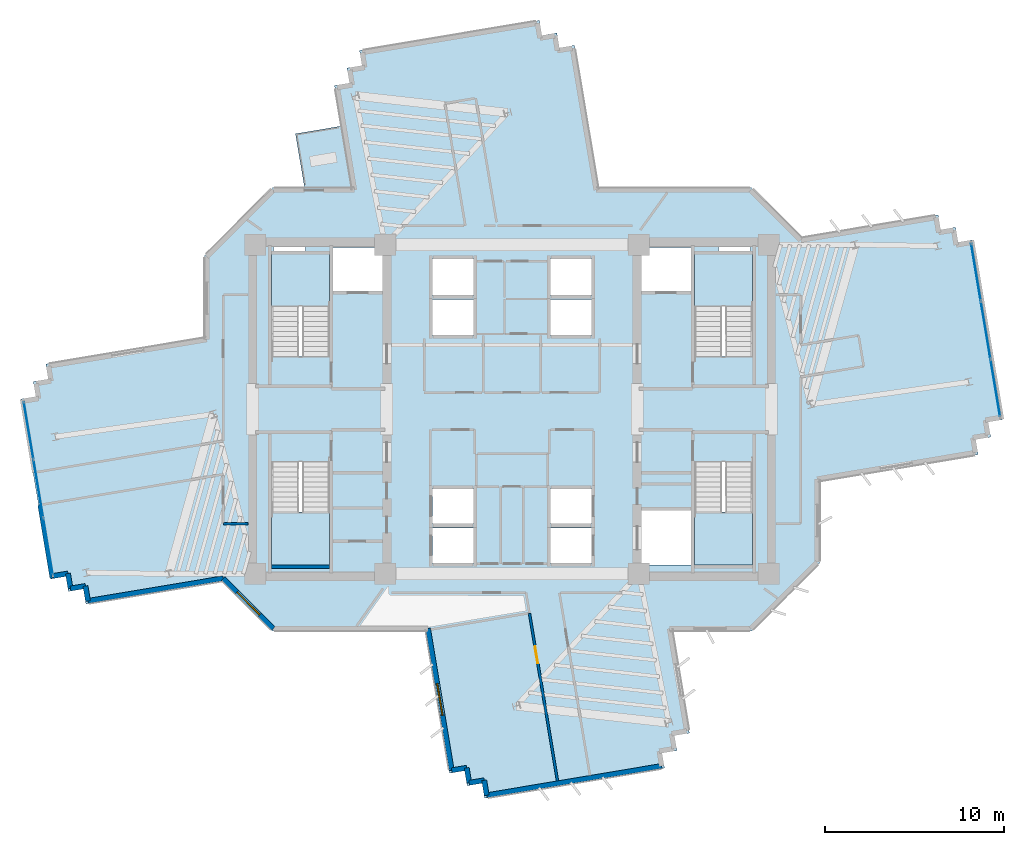
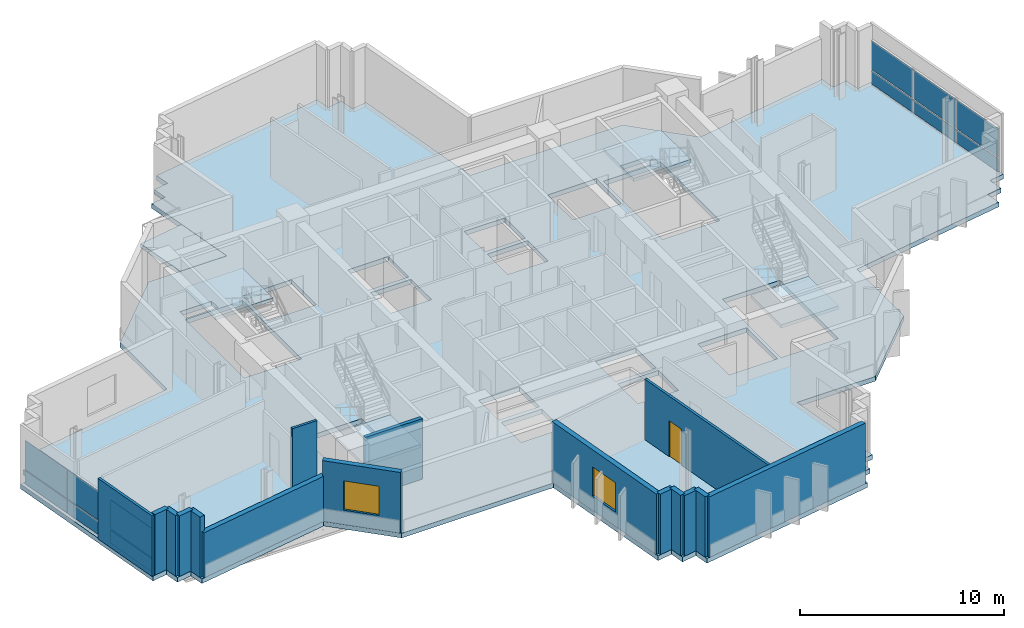
# One storey, part 6 of 15: 16 walls, 12 plates, 6 slabs, 2 windows, 1 door, 3 openings, 6 elements without a shape of their own.
"""IFC4 building model written with IfcOpenShell, lengths in metres."""

from ifc_helpers import new_model, si_unit, direction, frame, frame_2d, origin, origin_2d, place, context, subcontext, project, spatial, polyline, rectangle, outline, extrude, source, transform, mapped, material, layer, layer_set, type_object, element, fill, aggregate, save


model = new_model("IFC4")

# Units and contexts
model_context = context("Model", 3, precision=1e-05, world=origin(), true_north=direction((0.0, 1.0)))
body_context = subcontext(model_context, "Body", "Model", "MODEL_VIEW")
ifc_project = project(units=[si_unit("LENGTHUNIT", "METRE"), si_unit("AREAUNIT", "SQUARE_METRE"), si_unit("VOLUMEUNIT", "CUBIC_METRE"), si_unit("PLANEANGLEUNIT", "RADIAN"), si_unit("MASSUNIT", "GRAM", prefix="KILO")], contexts=[model_context])

# Site, building, storey
site_placement = place(None, origin())
site = spatial("IfcSite", under=ifc_project, at=site_placement, CompositionType="ELEMENT")
building_placement = place(site_placement, origin())
building = spatial("IfcBuilding", under=site, at=building_placement, Name="Zahravan Cultural Tower", CompositionType="ELEMENT")
storey_placement = place(building_placement, frame((0.0, 0.0, 139.5)))
storey = spatial("IfcBuildingStorey", under=building, at=storey_placement, Name="L31", CompositionType="ELEMENT", Elevation=139.5)

# Slab
ifc_material_1 = material(Name="Concrete C45/55", Category="concrete")
ifc_layer_1 = layer(ifc_material_1, 0.280029296875)
ifc_layer_set_1 = layer_set([ifc_layer_1], Name="Concrete C45/55")
slab_type_1 = type_object("IfcSlabType", Name="SL-LIB-280", PredefinedType="FLOOR", material=ifc_layer_set_1)
slab_1_placement = place(storey_placement, frame((0.0, 0.0, -0.280029296875)))
element("IfcSlab", 1, at=slab_1_placement, inside=storey, type_object=slab_type_1, Name="L31 Structural Floor Slab", PredefinedType="FLOOR", context=body_context, shape_type="SweptSolid", body=[
    extrude(outline(polyline([(52.1953125, 36.604736328125), (49.39990234375, 39.39990234375), (40.819580078125, 39.39990234375), (39.48828125, 47.35498046875), (38.64990234375, 47.214599609375), (38.509765625, 48.052978515625), (37.67138671875, 47.91259765625), (37.531005859375, 48.7509765625), (27.470947265625, 47.0673828125), (27.611083984375, 46.229248046875), (26.77294921875, 46.0888671875), (26.9130859375, 45.25048828125), (26.07470703125, 45.110107421875), (27.030517578125, 39.39990234375), (22.60009765625, 39.39990234375), (18.800048828125, 35.60009765625), (18.800048828125, 31.01611328125), (9.9248046875, 29.531005859375), (10.06494140625, 28.692626953125), (9.2265625, 28.552490234375), (9.366943359375, 27.714111328125), (8.528564453125, 27.57373046875), (10.2119140625, 17.513671875), (11.05029296875, 17.65380859375), (11.190673828125, 16.815673828125), (12.029052734375, 16.955810546875), (12.169189453125, 16.11767578125), (19.8046875, 17.395263671875), (22.60009765625, 14.60009765625), (31.180419921875, 14.60009765625), (32.51171875, 6.64501953125), (33.35009765625, 6.785400390625), (33.490234375, 5.947021484375), (34.32861328125, 6.08740234375), (34.468994140625, 5.2490234375), (44.529052734375, 6.9326171875), (44.388916015625, 7.770751953125), (45.22705078125, 7.9111328125), (45.0869140625, 8.74951171875), (45.92529296875, 8.889892578125), (44.969482421875, 14.60009765625), (49.39990234375, 14.60009765625), (53.199951171875, 18.39990234375), (53.199951171875, 22.98388671875), (62.0751953125, 24.468994140625), (61.93505859375, 25.307373046875), (62.7734375, 25.447509765625), (62.633056640625, 26.285888671875), (63.471435546875, 26.42626953125), (61.7880859375, 36.486328125), (60.94970703125, 36.34619140625), (60.809326171875, 37.184326171875), (59.970947265625, 37.044189453125), (59.830810546875, 37.88232421875), (52.1953125, 36.604736328125)]), holes=[polyline([(22.550048828125, 29.949951171875), (22.550048828125, 35.699951171875), (25.800048828125, 35.699951171875), (25.800048828125, 29.949951171875), (22.550048828125, 29.949951171875)]), polyline([(22.550048828125, 18.300048828125), (22.550048828125, 24.050048828125), (25.800048828125, 24.050048828125), (25.800048828125, 18.300048828125), (22.550048828125, 18.300048828125)]), polyline([(46.199951171875, 29.949951171875), (46.199951171875, 35.699951171875), (49.449951171875, 35.699951171875), (49.449951171875, 29.949951171875), (46.199951171875, 29.949951171875)]), polyline([(46.199951171875, 18.300048828125), (46.199951171875, 24.050048828125), (49.449951171875, 24.050048828125), (49.449951171875, 18.300048828125), (46.199951171875, 18.300048828125)]), polyline([(26.0, 33.60009765625), (26.0, 36.050048828125), (28.75, 36.050048828125), (28.75, 33.60009765625), (26.0, 33.60009765625)]), polyline([(43.25, 33.60009765625), (43.25, 36.050048828125), (46.0, 36.050048828125), (46.0, 33.60009765625), (43.25, 33.60009765625)]), polyline([(43.25, 18.300048828125), (43.25, 21.35009765625), (46.0, 21.35009765625), (46.0, 18.300048828125), (43.25, 18.300048828125)]), polyline([(31.550048828125, 33.39990234375), (31.550048828125, 35.39990234375), (33.85009765625, 35.39990234375), (33.85009765625, 33.39990234375), (31.550048828125, 33.39990234375)]), polyline([(31.550048828125, 31.14990234375), (31.550048828125, 33.14990234375), (33.85009765625, 33.14990234375), (33.85009765625, 31.14990234375), (31.550048828125, 31.14990234375)]), polyline([(38.14990234375, 33.39990234375), (38.14990234375, 35.39990234375), (40.449951171875, 35.39990234375), (40.449951171875, 33.39990234375), (38.14990234375, 33.39990234375)]), polyline([(38.14990234375, 31.14990234375), (38.14990234375, 33.14990234375), (40.449951171875, 33.14990234375), (40.449951171875, 31.14990234375), (38.14990234375, 31.14990234375)]), polyline([(31.550048828125, 20.60009765625), (31.550048828125, 22.550048828125), (33.85009765625, 22.550048828125), (33.85009765625, 20.60009765625), (31.550048828125, 20.60009765625)]), polyline([(31.550048828125, 18.39990234375), (31.550048828125, 20.35009765625), (33.85009765625, 20.35009765625), (33.85009765625, 18.39990234375), (31.550048828125, 18.39990234375)]), polyline([(38.14990234375, 20.60009765625), (38.14990234375, 22.550048828125), (40.449951171875, 22.550048828125), (40.449951171875, 20.60009765625), (38.14990234375, 20.60009765625)]), polyline([(38.14990234375, 18.39990234375), (38.14990234375, 20.35009765625), (40.449951171875, 20.35009765625), (40.449951171875, 18.39990234375), (38.14990234375, 18.39990234375)]), polyline([(22.64990234375, 35.800048828125), (22.64990234375, 36.419921875), (24.449951171875, 36.419921875), (24.449951171875, 35.800048828125), (22.64990234375, 35.800048828125)]), polyline([(47.550048828125, 35.800048828125), (47.550048828125, 36.419921875), (49.35009765625, 36.419921875), (49.35009765625, 35.800048828125), (47.550048828125, 35.800048828125)])]), origin(), (0.0, 0.0, 1.0), 0.280029296875),
])

# Stair, slab
stair_type = type_object("IfcStairType", Name="STR-DL-1550-390", PredefinedType="HALF_TURN_STAIR", material=ifc_material_1)
stair_1_placement = place(storey_placement, origin())
stair_1 = element("IfcStair", 2, at=stair_1_placement, inside=storey, type_object=stair_type, Name="L31 West Core North Exit Stair ST-W1", PredefinedType="HALF_TURN_STAIR")
ifc_layer_2 = layer(ifc_material_1, 0.199951171875)
ifc_layer_set_2 = layer_set([ifc_layer_2], Name="Concrete C45/55")
slab_type_2 = type_object("IfcSlabType", Name="SL-STAIR-LND200", PredefinedType="LANDING", material=ifc_layer_set_2)
slab_2_placement = place(storey_placement, frame((0.0, 0.0, 1.75)))
slab_2 = element("IfcSlab", 3, at=slab_2_placement, type_object=slab_type_2, Name="ST-W1 landing 1", PredefinedType="LANDING", context=body_context, shape_type="SweptSolid", body=[
    extrude(outline(polyline([(25.800048828125, 32.75), (25.800048828125, 35.699951171875), (22.550048828125, 35.699951171875), (22.550048828125, 32.75), (25.800048828125, 32.75)])), origin(), (0.0, 0.0, 1.0), 0.199951171875),
])
aggregate(stair_1, [slab_2])

stair_2_placement = place(storey_placement, origin())
stair_2 = element("IfcStair", 4, at=stair_2_placement, inside=storey, type_object=stair_type, Name="L31 West Core South Exit Stair ST-W2", PredefinedType="HALF_TURN_STAIR")
slab_3_placement = place(storey_placement, frame((0.0, 0.0, 1.75)))
slab_3 = element("IfcSlab", 5, at=slab_3_placement, type_object=slab_type_2, Name="ST-W2 landing 1", PredefinedType="LANDING", context=body_context, shape_type="SweptSolid", body=[
    extrude(outline(polyline([(22.550048828125, 21.25), (22.550048828125, 18.300048828125), (25.800048828125, 18.300048828125), (25.800048828125, 21.25), (22.550048828125, 21.25)])), origin(), (0.0, 0.0, 1.0), 0.199951171875),
])
aggregate(stair_2, [slab_3])

stair_3_placement = place(storey_placement, origin())
stair_3 = element("IfcStair", 6, at=stair_3_placement, inside=storey, type_object=stair_type, Name="L31 East Core North Exit Stair ST-E1", PredefinedType="HALF_TURN_STAIR")
slab_4_placement = place(storey_placement, frame((0.0, 0.0, 1.75)))
slab_4 = element("IfcSlab", 7, at=slab_4_placement, type_object=slab_type_2, Name="ST-E1 landing 1", PredefinedType="LANDING", context=body_context, shape_type="SweptSolid", body=[
    extrude(outline(polyline([(49.449951171875, 32.75), (49.449951171875, 35.699951171875), (46.199951171875, 35.699951171875), (46.199951171875, 32.75), (49.449951171875, 32.75)])), origin(), (0.0, 0.0, 1.0), 0.199951171875),
])
aggregate(stair_3, [slab_4])

stair_4_placement = place(storey_placement, origin())
stair_4 = element("IfcStair", 8, at=stair_4_placement, inside=storey, type_object=stair_type, Name="L31 East Core South Exit Stair ST-E2", PredefinedType="HALF_TURN_STAIR")
slab_5_placement = place(storey_placement, frame((0.0, 0.0, 1.75)))
slab_5 = element("IfcSlab", 9, at=slab_5_placement, type_object=slab_type_2, Name="ST-E2 landing 1", PredefinedType="LANDING", context=body_context, shape_type="SweptSolid", body=[
    extrude(outline(polyline([(46.199951171875, 21.25), (46.199951171875, 18.300048828125), (49.449951171875, 18.300048828125), (49.449951171875, 21.25), (46.199951171875, 21.25)])), origin(), (0.0, 0.0, 1.0), 0.199951171875),
])
aggregate(stair_4, [slab_5])

# Slab
ifc_material_2 = material(Name="Concrete C40/50", Category="concrete")
ifc_layer_3 = layer(ifc_material_2, 0.239990234375)
ifc_layer_set_3 = layer_set([ifc_layer_3], Name="Concrete C40/50")
slab_type_3 = type_object("IfcSlabType", Name="SL-TERR-240", PredefinedType="FLOOR", material=ifc_layer_set_3)
slab_6_placement = place(storey_placement, frame((0.0, 0.0, -0.239990234375)))
element("IfcSlab", 10, at=slab_6_placement, inside=storey, type_object=slab_type_3, Name="L31 Planted Sculpture Terrace NW", PredefinedType="FLOOR", context=body_context, shape_type="SweptSolid", body=[
    extrude(outline(polyline([(23.89013671875, 42.41259765625), (24.393310546875, 39.405029296875), (27.0244140625, 39.405029296875), (26.449462890625, 42.841064453125), (23.89013671875, 42.41259765625)])), origin(), (0.0, 0.0, 1.0), 0.239990234375),
])

# Curtain wall, plates
ifc_material_3 = material(Name="Anodised bronze-aluminium mullion", Category="aluminium")
ifc_layer_4 = layer(ifc_material_3, 0.199951171875)
ifc_layer_set_4 = layer_set([ifc_layer_4], Name="Anodised bronze-aluminium mullion")
curtain_wall_type_1 = type_object("IfcCurtainWallType", Name="CW-SYS-2", PredefinedType="USERDEFINED", material=ifc_layer_set_4)
curtain_wall_1_placement = place(storey_placement, origin())
curtain_wall_1 = element("IfcCurtainWall", 11, at=curtain_wall_1_placement, inside=storey, type_object=curtain_wall_type_1, Name="L31 Recessed Curtain Wall CW-2.1", ObjectType="RECESSED GLAZING", PredefinedType="USERDEFINED")
ifc_material_4 = material(Name="Low-E solar-control double glazing", Category="glass")
ifc_layer_5 = layer(ifc_material_4, 0.030029296875)
ifc_layer_set_5 = layer_set([ifc_layer_5], Name="Low-E solar-control double glazing")
plate_type_1 = type_object("IfcPlateType", Name="CWP-CW-2", PredefinedType="CURTAIN_PANEL", material=ifc_layer_set_5)
shared_shape_1 = source(origin(), body_context, "Body", "SweptSolid", [
    extrude(rectangle(XDim=3.194091796875, YDim=0.030029296875, at=origin_2d()), origin(), (0.0, 0.0, 1.0), 0.78759765625),
])
plate_1_placement = place(storey_placement, frame((61.948974609375, 34.676025390625, 0.074951171875), z_axis=(0.0, 0.0, 1.0), x_axis=(0.165051199491, -0.986285000163, 0.0)))
plate_1 = element("IfcPlate", 12, at=plate_1_placement, type_object=plate_type_1, Name="CW-2 panel 1.1", PredefinedType="CURTAIN_PANEL", context=body_context, shape_type="MappedRepresentation", body=[
    mapped(shared_shape_1, transform((0.0, 0.0, 0.0), x_axis=(1.0, 0.0, 0.0), y_axis=(0.0, 1.0, 0.0), z_axis=(0.0, 0.0, 1.0), scale=1.0)),
])
plate_2_placement = place(storey_placement, frame((63.034423828125, 28.1904296875, 0.074951171875), z_axis=(0.0, 0.0, 1.0), x_axis=(0.165051199491, -0.986285000163, 0.0)))
plate_2 = element("IfcPlate", 13, at=plate_2_placement, type_object=plate_type_1, Name="CW-2 panel 3.1", PredefinedType="CURTAIN_PANEL", context=body_context, shape_type="MappedRepresentation", body=[
    mapped(shared_shape_1, transform((0.0, 0.0, 0.0), x_axis=(1.0, 0.0, 0.0), y_axis=(0.0, 1.0, 0.0), z_axis=(0.0, 0.0, 1.0), scale=1.0)),
])
shared_shape_2 = source(origin(), body_context, "Body", "SweptSolid", [
    extrude(rectangle(XDim=3.231689453125, YDim=0.030029296875, at=origin_2d()), origin(), (0.0, 0.0, 1.0), 0.78759765625),
])
plate_3_placement = place(storey_placement, frame((62.49169921875, 31.43310546875, 0.074951171875), z_axis=(0.0, 0.0, 1.0), x_axis=(0.165051199491, -0.986285000163, 0.0)))
plate_3 = element("IfcPlate", 14, at=plate_3_placement, type_object=plate_type_1, Name="CW-2 panel 2.1", PredefinedType="CURTAIN_PANEL", context=body_context, shape_type="MappedRepresentation", body=[
    mapped(shared_shape_2, transform((0.0, 0.0, 0.0), x_axis=(1.0, 0.0, 0.0), y_axis=(0.0, 1.0, 0.0), z_axis=(0.0, 0.0, 1.0), scale=1.0)),
])
shared_shape_3 = source(origin(), body_context, "Body", "SweptSolid", [
    extrude(rectangle(XDim=3.194091796875, YDim=0.030029296875, at=origin_2d()), origin(), (0.0, 0.0, 1.0), 1.7275390625),
])
plate_4_placement = place(storey_placement, frame((61.948974609375, 34.676025390625, 0.9375), z_axis=(0.0, 0.0, 1.0), x_axis=(0.165051199491, -0.986285000163, 0.0)))
plate_4 = element("IfcPlate", 15, at=plate_4_placement, type_object=plate_type_1, Name="CW-2 panel 1.2", PredefinedType="CURTAIN_PANEL", context=body_context, shape_type="MappedRepresentation", body=[
    mapped(shared_shape_3, transform((0.0, 0.0, 0.0), x_axis=(1.0, 0.0, 0.0), y_axis=(0.0, 1.0, 0.0), z_axis=(0.0, 0.0, 1.0), scale=1.0)),
])
plate_5_placement = place(storey_placement, frame((63.034423828125, 28.1904296875, 0.9375), z_axis=(0.0, 0.0, 1.0), x_axis=(0.165051199491, -0.986285000163, 0.0)))
plate_5 = element("IfcPlate", 16, at=plate_5_placement, type_object=plate_type_1, Name="CW-2 panel 3.2", PredefinedType="CURTAIN_PANEL", context=body_context, shape_type="MappedRepresentation", body=[
    mapped(shared_shape_3, transform((0.0, 0.0, 0.0), x_axis=(1.0, 0.0, 0.0), y_axis=(0.0, 1.0, 0.0), z_axis=(0.0, 0.0, 1.0), scale=1.0)),
])
shared_shape_4 = source(origin(), body_context, "Body", "SweptSolid", [
    extrude(rectangle(XDim=3.231689453125, YDim=0.030029296875, at=origin_2d()), origin(), (0.0, 0.0, 1.0), 1.7275390625),
])
plate_6_placement = place(storey_placement, frame((62.49169921875, 31.43310546875, 0.9375), z_axis=(0.0, 0.0, 1.0), x_axis=(0.165051199491, -0.986285000163, 0.0)))
plate_6 = element("IfcPlate", 17, at=plate_6_placement, type_object=plate_type_1, Name="CW-2 panel 2.2", PredefinedType="CURTAIN_PANEL", context=body_context, shape_type="MappedRepresentation", body=[
    mapped(shared_shape_4, transform((0.0, 0.0, 0.0), x_axis=(1.0, 0.0, 0.0), y_axis=(0.0, 1.0, 0.0), z_axis=(0.0, 0.0, 1.0), scale=1.0)),
])
aggregate(curtain_wall_1, [plate_1, plate_4, plate_3, plate_6, plate_2, plate_5])

ifc_layer_6 = layer(ifc_material_3, 0.179931640625)
ifc_layer_set_6 = layer_set([ifc_layer_6], Name="Anodised bronze-aluminium mullion")
curtain_wall_type_2 = type_object("IfcCurtainWallType", Name="CW-SYS-3", PredefinedType="USERDEFINED", material=ifc_layer_set_6)
curtain_wall_2_placement = place(storey_placement, origin())
curtain_wall_2 = element("IfcCurtainWall", 18, at=curtain_wall_2_placement, inside=storey, type_object=curtain_wall_type_2, Name="L31 Recessed Curtain Wall CW-3.2", ObjectType="RECESSED GLAZING", PredefinedType="USERDEFINED")
ifc_layer_7 = layer(ifc_material_4, 0.028076171875)
ifc_layer_set_7 = layer_set([ifc_layer_7], Name="Low-E solar-control double glazing")
plate_type_2 = type_object("IfcPlateType", Name="CWP-CW-3", PredefinedType="CURTAIN_PANEL", material=ifc_layer_set_7)
shared_shape_5 = source(origin(), body_context, "Body", "SweptSolid", [
    extrude(rectangle(XDim=3.20166015625, YDim=0.028076171875, at=origin_2d()), origin(), (0.0, 0.0, 1.0), 0.794921875),
])
plate_7_placement = place(storey_placement, frame((10.05126953125, 19.32275390625, 0.070068359375), z_axis=(0.0, 0.0, 1.0), x_axis=(-0.165051199491, 0.986285000163, 0.0)))
plate_7 = element("IfcPlate", 19, at=plate_7_placement, type_object=plate_type_2, Name="CW-3 panel 1.1", PredefinedType="CURTAIN_PANEL", context=body_context, shape_type="MappedRepresentation", body=[
    mapped(shared_shape_5, transform((0.0, 0.0, 0.0), x_axis=(1.0, 0.0, 0.0), y_axis=(0.0, 1.0, 0.0), z_axis=(0.0, 0.0, 1.0), scale=1.0)),
])
plate_8_placement = place(storey_placement, frame((8.965576171875, 25.810791015625, 0.070068359375), z_axis=(0.0, 0.0, 1.0), x_axis=(-0.165051199491, 0.986285000163, 0.0)))
plate_8 = element("IfcPlate", 20, at=plate_8_placement, type_object=plate_type_2, Name="CW-3 panel 3.1", PredefinedType="CURTAIN_PANEL", context=body_context, shape_type="MappedRepresentation", body=[
    mapped(shared_shape_5, transform((0.0, 0.0, 0.0), x_axis=(1.0, 0.0, 0.0), y_axis=(0.0, 1.0, 0.0), z_axis=(0.0, 0.0, 1.0), scale=1.0)),
])
shared_shape_6 = source(origin(), body_context, "Body", "SweptSolid", [
    extrude(rectangle(XDim=3.20166015625, YDim=0.028076171875, at=origin_2d()), origin(), (0.0, 0.0, 1.0), 1.735107421875),
])
plate_9_placement = place(storey_placement, frame((10.05126953125, 19.32275390625, 0.93505859375), z_axis=(0.0, 0.0, 1.0), x_axis=(-0.165051199491, 0.986285000163, 0.0)))
plate_9 = element("IfcPlate", 21, at=plate_9_placement, type_object=plate_type_2, Name="CW-3 panel 1.2", PredefinedType="CURTAIN_PANEL", context=body_context, shape_type="MappedRepresentation", body=[
    mapped(shared_shape_6, transform((0.0, 0.0, 0.0), x_axis=(1.0, 0.0, 0.0), y_axis=(0.0, 1.0, 0.0), z_axis=(0.0, 0.0, 1.0), scale=1.0)),
])
plate_10_placement = place(storey_placement, frame((8.965576171875, 25.810791015625, 0.93505859375), z_axis=(0.0, 0.0, 1.0), x_axis=(-0.165051199491, 0.986285000163, 0.0)))
plate_10 = element("IfcPlate", 22, at=plate_10_placement, type_object=plate_type_2, Name="CW-3 panel 3.2", PredefinedType="CURTAIN_PANEL", context=body_context, shape_type="MappedRepresentation", body=[
    mapped(shared_shape_6, transform((0.0, 0.0, 0.0), x_axis=(1.0, 0.0, 0.0), y_axis=(0.0, 1.0, 0.0), z_axis=(0.0, 0.0, 1.0), scale=1.0)),
])
shared_shape_7 = source(origin(), body_context, "Body", "SweptSolid", [
    extrude(rectangle(XDim=3.236572265625, YDim=0.028076171875, at=origin_2d()), origin(), (0.0, 0.0, 1.0), 0.794921875),
])
plate_11_placement = place(storey_placement, frame((9.50830078125, 22.56689453125, 0.070068359375), z_axis=(0.0, 0.0, 1.0), x_axis=(-0.165051199491, 0.986285000163, 0.0)))
plate_11 = element("IfcPlate", 23, at=plate_11_placement, type_object=plate_type_2, Name="CW-3 panel 2.1", PredefinedType="CURTAIN_PANEL", context=body_context, shape_type="MappedRepresentation", body=[
    mapped(shared_shape_7, transform((0.0, 0.0, 0.0), x_axis=(1.0, 0.0, 0.0), y_axis=(0.0, 1.0, 0.0), z_axis=(0.0, 0.0, 1.0), scale=1.0)),
])
shared_shape_8 = source(origin(), body_context, "Body", "SweptSolid", [
    extrude(rectangle(XDim=3.236572265625, YDim=0.028076171875, at=origin_2d()), origin(), (0.0, 0.0, 1.0), 1.735107421875),
])
plate_12_placement = place(storey_placement, frame((9.50830078125, 22.56689453125, 0.93505859375), z_axis=(0.0, 0.0, 1.0), x_axis=(-0.165051199491, 0.986285000163, 0.0)))
plate_12 = element("IfcPlate", 24, at=plate_12_placement, type_object=plate_type_2, Name="CW-3 panel 2.2", PredefinedType="CURTAIN_PANEL", context=body_context, shape_type="MappedRepresentation", body=[
    mapped(shared_shape_8, transform((0.0, 0.0, 0.0), x_axis=(1.0, 0.0, 0.0), y_axis=(0.0, 1.0, 0.0), z_axis=(0.0, 0.0, 1.0), scale=1.0)),
])
aggregate(curtain_wall_2, [plate_7, plate_9, plate_11, plate_12, plate_8, plate_10])

# Wall, opening, window
ifc_material_5 = material(Name="Precast concrete C40/50", Category="concrete")
ifc_layer_8 = layer(ifc_material_5, 0.280029296875)
ifc_layer_set_8 = layer_set([ifc_layer_8], Name="Precast concrete C40/50")
wall_type_1 = type_object("IfcWallType", Name="EW-TC-280", PredefinedType="SOLIDWALL", material=ifc_layer_set_8)
wall_1_placement = place(storey_placement, frame((32.626708984375, 6.806396484375, 0.0), z_axis=(0.0, 0.0, 1.0), x_axis=(-0.165048626668, 0.986285430712, 0.0)))
wall_1 = element("IfcWall", 25, at=wall_1_placement, inside=storey, type_object=wall_type_1, Name="L31 Exterior Masonry Frame Wall 24", PredefinedType="SOLIDWALL", context=body_context, shape_type="SweptSolid", body=[
    extrude(rectangle(XDim=8.0439453125, YDim=0.280029296875, at=frame_2d((4.02197265625, 0.0))), origin(), (0.0, 0.0, 1.0), 3.6201171875),
])
opening_1_placement = place(wall_1_placement, frame((3.1220703125, 0.0, 0.85009765625)))
opening_1 = element("IfcOpeningElement", 26, at=opening_1_placement, cuts=wall_1, Name="Opening WN-02", PredefinedType="OPENING", context=body_context, shape_type="SweptSolid", body=[
    extrude(rectangle(XDim=1.800048828125, YDim=1.75, at=frame_2d((0.89990234375, 0.875))), frame((0.0, 0.14990234375, 0.0), z_axis=(0.0, -1.0, 0.0), x_axis=(1.0, 0.0, 0.0)), (0.0, 0.0, 1.0), 0.300048828125),
])
window_type = type_object("IfcWindowType", Name="WN-REC-1800X1750", PartitioningType="DOUBLE_PANEL_VERTICAL", PredefinedType="WINDOW", material=ifc_material_4)
shared_shape_9 = source(origin(), body_context, "Body", "SweptSolid", [
    extrude(rectangle(XDim=1.800048828125, YDim=1.75, at=frame_2d((0.89990234375, 0.875))), frame((0.0, 0.030029296875, 0.0), z_axis=(0.0, -1.0, 0.0), x_axis=(1.0, 0.0, 0.0)), (0.0, 0.0, 1.0), 0.06005859375),
])
window_1_placement = place(opening_1_placement, origin())
window_1 = element("IfcWindow", 27, at=window_1_placement, inside=storey, type_object=window_type, Name="L31 Recessed Solar Window 05", OverallHeight=1.75, OverallWidth=1.800048828125, PartitioningType="DOUBLE_PANEL_VERTICAL", PredefinedType="WINDOW", context=body_context, shape_type="MappedRepresentation", body=[
    mapped(shared_shape_9, transform((0.0, 0.0, 0.0), x_axis=(1.0, 0.0, 0.0), y_axis=(0.0, 1.0, 0.0), z_axis=(0.0, 0.0, 1.0), scale=1.0)),
])
fill(opening_1, window_1)

wall_2_placement = place(storey_placement, frame((22.657958984375, 14.739990234375, 0.0), z_axis=(0.0, 0.0, 1.0), x_axis=(-0.707076011326, 0.707137549708, 0.0)))
wall_2 = element("IfcWall", 28, at=wall_2_placement, inside=storey, type_object=wall_type_1, Name="L31 Exterior Masonry Frame Wall 26", PredefinedType="SOLIDWALL", context=body_context, shape_type="SweptSolid", body=[
    extrude(rectangle(XDim=3.96728515625, YDim=0.280029296875, at=frame_2d((1.983642578125, 0.0))), origin(), (0.0, 0.0, 1.0), 3.6201171875),
])
opening_2_placement = place(wall_2_placement, frame((1.083984375, 0.0, 0.85009765625)))
opening_2 = element("IfcOpeningElement", 29, at=opening_2_placement, cuts=wall_2, Name="Opening WN-02", PredefinedType="OPENING", context=body_context, shape_type="SweptSolid", body=[
    extrude(rectangle(XDim=1.800048828125, YDim=1.75, at=frame_2d((0.89990234375, 0.875))), frame((0.0, 0.14990234375, 0.0), z_axis=(0.0, -1.0, 0.0), x_axis=(1.0, 0.0, 0.0)), (0.0, 0.0, 1.0), 0.300048828125),
])
window_2_placement = place(opening_2_placement, origin())
window_2 = element("IfcWindow", 30, at=window_2_placement, inside=storey, type_object=window_type, Name="L31 Recessed Solar Window 06", OverallHeight=1.75, OverallWidth=1.800048828125, PartitioningType="DOUBLE_PANEL_VERTICAL", PredefinedType="WINDOW", context=body_context, shape_type="MappedRepresentation", body=[
    mapped(shared_shape_9, transform((0.0, 0.0, 0.0), x_axis=(1.0, 0.0, 0.0), y_axis=(0.0, 1.0, 0.0), z_axis=(0.0, 0.0, 1.0), scale=1.0)),
])
fill(opening_2, window_2)

# Wall, opening, door
ifc_material_6 = material(Name="Gypsum plasterboard partition")
ifc_layer_9 = layer(ifc_material_6, 0.139892578125)
ifc_layer_set_9 = layer_set([ifc_layer_9], Name="Gypsum plasterboard partition")
wall_type_2 = type_object("IfcWallType", Name="W-PART-140", PredefinedType="PARTITIONING", material=ifc_layer_set_9)
wall_3_placement = place(storey_placement, frame((36.9775390625, 15.584716796875, 0.0), z_axis=(0.0, 0.0, 1.0), x_axis=(0.165024399413, -0.986289484684, 0.0)))
wall_3 = element("IfcWall", 31, at=wall_3_placement, inside=storey, type_object=wall_type_2, Name="L31 Interior Wall 092", PredefinedType="PARTITIONING", context=body_context, shape_type="SweptSolid", body=[
    extrude(rectangle(XDim=9.494873046875, YDim=0.139892578125, at=frame_2d((4.74755859375, 0.0))), origin(), (0.0, 0.0, 1.0), 3.6201171875),
])
opening_3_placement = place(wall_3_placement, frame((1.8798828125, 0.0, 0.0)))
opening_3 = element("IfcOpeningElement", 32, at=opening_3_placement, cuts=wall_3, Name="Opening D-L31-28", PredefinedType="OPENING", context=body_context, shape_type="SweptSolid", body=[
    extrude(rectangle(XDim=0.949951171875, YDim=2.14990234375, at=frame_2d((0.47509765625, 1.074951171875))), frame((0.0, 0.079833984375, 0.0), z_axis=(0.0, -1.0, 0.0), x_axis=(1.0, 0.0, 0.0)), (0.0, 0.0, 1.0), 0.159912109375),
])
door_type = type_object("IfcDoorType", Name="DR-ROOM-950", OperationType="NOTDEFINED", PredefinedType="DOOR", material=ifc_material_3)
shared_shape_10 = source(origin(), body_context, "Body", "SweptSolid", [
    extrude(rectangle(XDim=0.949951171875, YDim=2.14990234375, at=frame_2d((0.47509765625, 1.074951171875))), frame((0.0, 0.02490234375, 0.0), z_axis=(0.0, -1.0, 0.0), x_axis=(1.0, 0.0, 0.0)), (0.0, 0.0, 1.0), 0.050048828125),
])
door_placement = place(opening_3_placement, origin())
door = element("IfcDoor", 33, at=door_placement, inside=storey, type_object=door_type, Name="L31 Door D-L31-28", OperationType="SINGLE_SWING_RIGHT", OverallHeight=2.14990234375, OverallWidth=0.949951171875, PredefinedType="DOOR", context=body_context, shape_type="MappedRepresentation", body=[
    mapped(shared_shape_10, transform((0.0, 0.0, 0.0), x_axis=(1.0, 0.0, 0.0), y_axis=(0.0, 1.0, 0.0), z_axis=(0.0, 0.0, 1.0), scale=1.0)),
])
fill(opening_3, door)

# Walls
shared_shape_11 = source(origin(), body_context, "Body", "SweptSolid", [
    extrude(rectangle(XDim=7.673828125, YDim=0.280029296875, at=frame_2d((3.8369140625, 0.0))), origin(), (0.0, 0.0, 1.0), 2.693115234375),
])
wall_4_placement = place(storey_placement, frame((19.852783203125, 17.54541015625, 0.0), z_axis=(0.0, 0.0, 1.0), x_axis=(-0.986284504747, -0.165054159886, 0.0)))
element("IfcWall", 34, at=wall_4_placement, inside=storey, type_object=wall_type_1, Name="L31 Exterior Masonry Frame Wall 27", PredefinedType="SOLIDWALL", context=body_context, shape_type="MappedRepresentation", body=[
    mapped(shared_shape_11, transform((0.0, 0.0, 0.0), x_axis=(1.0, 0.0, 0.0), y_axis=(0.0, 1.0, 0.0), z_axis=(0.0, 0.0, 1.0), scale=1.0)),
])
shared_shape_12 = source(origin(), body_context, "Body", "SweptSolid", [
    extrude(rectangle(XDim=0.85009765625, YDim=0.280029296875, at=frame_2d((0.425048828125, 0.0))), origin(), (0.0, 0.0, 1.0), 3.6201171875),
])
for number, where, z_axis, x_axis, name in (
    (35, (34.583984375, 5.41015625, 0.0), (0.0, 0.0, 1.0), (-0.16514412658, 0.986269444653, 0.0), "L31 Exterior Masonry Frame Wall 20"),
    (36, (34.443603515625, 6.24853515625, 0.0), (0.0, 0.0, 1.0), (-0.986316186628, -0.164864732418, 0.0), "L31 Exterior Masonry Frame Wall 21"),
    (37, (33.465087890625, 6.946533203125, 0.0), (0.0, 0.0, 1.0), (-0.986316186628, -0.164864732418, 0.0), "L31 Exterior Masonry Frame Wall 23"),
    (38, (12.2841796875, 16.27880859375, 0.0), (0.0, 0.0, 1.0), (-0.164864732418, 0.986316186628, 0.0), "L31 Exterior Masonry Frame Wall 28"),
    (39, (12.14404296875, 17.1171875, 0.0), (0.0, 0.0, 1.0), (-0.986269444653, -0.16514412658, 0.0), "L31 Exterior Masonry Frame Wall 29"),
    (40, (11.3056640625, 16.976806640625, 0.0), (0.0, 0.0, 1.0), (-0.16514412658, 0.986269444653, 0.0), "L31 Exterior Masonry Frame Wall 30"),
    (41, (11.165283203125, 17.815185546875, 0.0), (0.0, 0.0, 1.0), (-0.986269444653, -0.16514412658, 0.0), "L31 Exterior Masonry Frame Wall 31"),
):
    element("IfcWall", number, at=place(storey_placement, frame(where, z_axis=z_axis, x_axis=x_axis)), inside=storey, type_object=wall_type_1, Name=name, PredefinedType="SOLIDWALL", context=body_context, shape_type="MappedRepresentation", body=[
        mapped(shared_shape_12, transform((0.0, 0.0, 0.0), x_axis=(1.0, 0.0, 0.0), y_axis=(0.0, 1.0, 0.0), z_axis=(0.0, 0.0, 1.0), scale=1.0)),
    ])
shared_shape_13 = source(origin(), body_context, "Body", "SweptSolid", [
    extrude(rectangle(XDim=0.849853515625, YDim=0.280029296875, at=frame_2d((0.4248046875, 0.0))), origin(), (0.0, 0.0, 1.0), 3.6201171875),
])
wall_5_placement = place(storey_placement, frame((33.605224609375, 6.1083984375, 0.0), z_axis=(0.0, 0.0, 1.0), x_axis=(-0.164911450083, 0.986308376539, 0.0)))
element("IfcWall", 42, at=wall_5_placement, inside=storey, type_object=wall_type_1, Name="L31 Exterior Masonry Frame Wall 22", PredefinedType="SOLIDWALL", context=body_context, shape_type="MappedRepresentation", body=[
    mapped(shared_shape_13, transform((0.0, 0.0, 0.0), x_axis=(1.0, 0.0, 0.0), y_axis=(0.0, 1.0, 0.0), z_axis=(0.0, 0.0, 1.0), scale=1.0)),
])
shared_shape_14 = source(origin(), body_context, "Body", "SweptSolid", [
    extrude(rectangle(XDim=9.919921875, YDim=0.280029296875, at=frame_2d((4.9599609375, 0.0))), origin(), (0.0, 0.0, 1.0), 3.6201171875),
])
wall_6_placement = place(storey_placement, frame((44.367919921875, 7.047607421875, 0.0), z_axis=(0.0, 0.0, 1.0), x_axis=(-0.986282616944, -0.165065440096, 0.0)))
element("IfcWall", 43, at=wall_6_placement, inside=storey, type_object=wall_type_1, Name="L31 Exterior Masonry Frame Wall 19", PredefinedType="SOLIDWALL", context=body_context, shape_type="MappedRepresentation", body=[
    mapped(shared_shape_14, transform((0.0, 0.0, 0.0), x_axis=(1.0, 0.0, 0.0), y_axis=(0.0, 1.0, 0.0), z_axis=(0.0, 0.0, 1.0), scale=1.0)),
])
ifc_layer_10 = layer(ifc_material_1, 0.199951171875)
ifc_layer_set_10 = layer_set([ifc_layer_10], Name="Concrete C45/55")
wall_type_3 = type_object("IfcWallType", Name="W-SHAFT-200", PredefinedType="SOLIDWALL", material=ifc_layer_set_10)
shared_shape_15 = source(origin(), body_context, "Body", "SweptSolid", [
    extrude(rectangle(XDim=3.25, YDim=0.199951171875, at=frame_2d((1.625, 0.0))), origin(), (0.0, 0.0, 1.0), 3.6201171875),
])
wall_7_placement = place(storey_placement, frame((22.550048828125, 18.199951171875, 0.0), z_axis=(0.0, 0.0, 1.0), x_axis=(1.0, 0.0, 0.0)))
element("IfcWall", 44, at=wall_7_placement, inside=storey, type_object=wall_type_3, Name="L31 Interior Wall 019", PredefinedType="SOLIDWALL", context=body_context, shape_type="MappedRepresentation", body=[
    mapped(shared_shape_15, transform((0.0, 0.0, 0.0), x_axis=(1.0, 0.0, 0.0), y_axis=(0.0, 1.0, 0.0), z_axis=(0.0, 0.0, 1.0), scale=1.0)),
])
shared_shape_16 = source(origin(), body_context, "Body", "SweptSolid", [
    extrude(rectangle(XDim=4.16015625, YDim=0.139892578125, at=frame_2d((2.080078125, 0.0))), origin(), (0.0, 0.0, 1.0), 3.6201171875),
])
wall_8_placement = place(storey_placement, frame((10.228515625, 17.53662109375, 0.0), z_axis=(0.0, 0.0, 1.0), x_axis=(-0.165084148129, 0.986279485763, 0.0)))
element("IfcWall", 45, at=wall_8_placement, inside=storey, type_object=wall_type_2, Name="L31 Interior Wall 101", PredefinedType="PARTITIONING", context=body_context, shape_type="MappedRepresentation", body=[
    mapped(shared_shape_16, transform((0.0, 0.0, 0.0), x_axis=(1.0, 0.0, 0.0), y_axis=(0.0, 1.0, 0.0), z_axis=(0.0, 0.0, 1.0), scale=1.0)),
])
shared_shape_17 = source(origin(), body_context, "Body", "SweptSolid", [
    extrude(rectangle(XDim=1.39404296875, YDim=0.139892578125, at=frame_2d((0.697021484375, 0.0))), origin(), (0.0, 0.0, 1.0), 3.6201171875),
])
wall_9_placement = place(storey_placement, frame((19.85107421875, 20.60107421875, 0.0), z_axis=(0.0, 0.0, 1.0), x_axis=(0.999999754632, -0.000700525222, 0.0)))
element("IfcWall", 46, at=wall_9_placement, inside=storey, type_object=wall_type_2, Name="L31 Interior Wall 104", PredefinedType="PARTITIONING", context=body_context, shape_type="MappedRepresentation", body=[
    mapped(shared_shape_17, transform((0.0, 0.0, 0.0), x_axis=(1.0, 0.0, 0.0), y_axis=(0.0, 1.0, 0.0), z_axis=(0.0, 0.0, 1.0), scale=1.0)),
])

save(model, "model.ifc")
